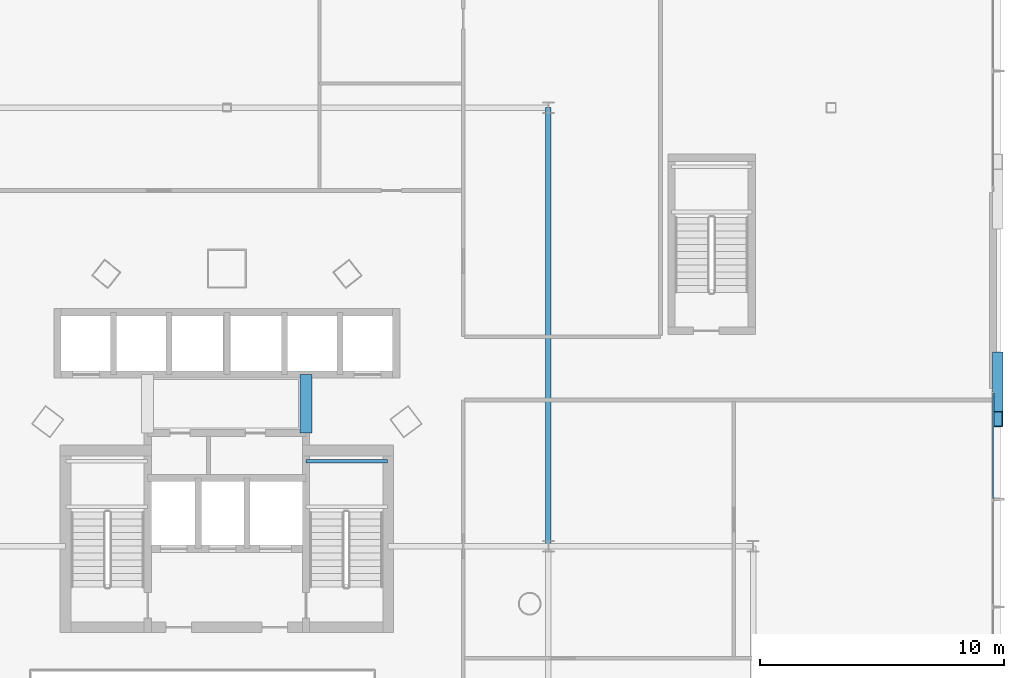
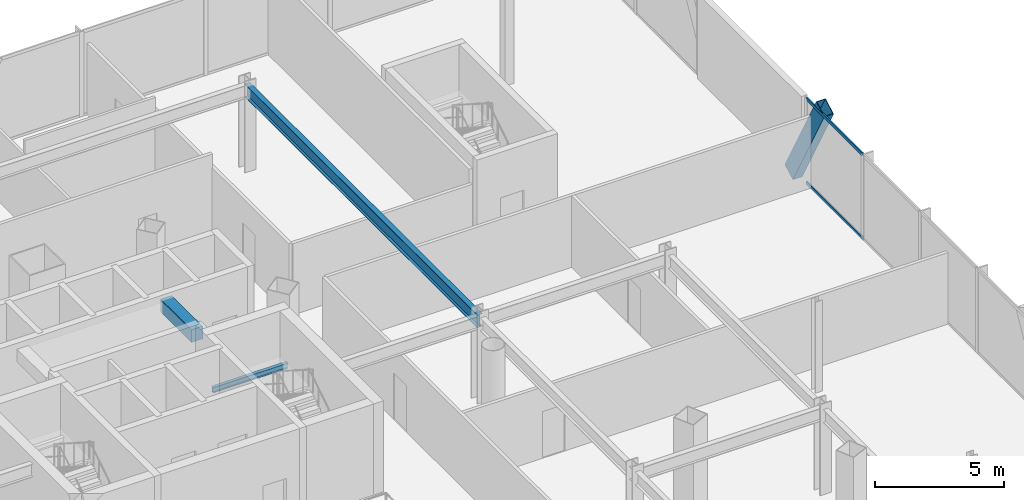
# One storey, part 27 of 42: 3 beams, 3 members, 1 element without a shape of its own.
"""IFC4 building model written with IfcOpenShell, lengths in metres."""

from ifc_helpers import new_model, si_unit, direction, frame, origin, origin_2d, place, context, subcontext, project, spatial, rectangle, hollow_rectangle, i_section, extrude, material, layer, layer_set, material_profile, profile_set, type_object, element, aggregate, save


model = new_model("IFC4")

# Units and contexts
model_context = context("Model", 3, precision=1e-05, world=origin(), true_north=direction((0.0, 1.0)))
body_context = subcontext(model_context, "Body", "Model", "MODEL_VIEW")
ifc_project = project(units=[si_unit("LENGTHUNIT", "METRE"), si_unit("AREAUNIT", "SQUARE_METRE"), si_unit("VOLUMEUNIT", "CUBIC_METRE"), si_unit("PLANEANGLEUNIT", "RADIAN"), si_unit("MASSUNIT", "GRAM", prefix="KILO")], contexts=[model_context])

# Site, building, storey
site_placement = place(None, origin())
site = spatial("IfcSite", under=ifc_project, at=site_placement, CompositionType="ELEMENT")
building_placement = place(site_placement, origin())
building = spatial("IfcBuilding", under=site, at=building_placement, Name="Orvanel Arch Residences", CompositionType="ELEMENT")
storey_placement = place(building_placement, frame((0.0, 0.0, 5.5)))
storey = spatial("IfcBuildingStorey", under=building, at=storey_placement, Name="L01", CompositionType="ELEMENT", Elevation=5.5)

# Beams
ifc_material_1 = material(Name="Structural steel AS/NZS 3679.1 Grade 300 (300 MPa)", Category="steel")
ifc_material_profile_1 = material_profile(ifc_material_1, i_section(OverallWidth=0.22900390625, OverallDepth=0.612060546875, WebThickness=0.011962890625, FlangeThickness=0.01953125, at=origin_2d()), Name="610UB125")
ifc_profile_set_1 = profile_set([ifc_material_profile_1], Name="Structural steel AS/NZS 3679.1 Grade 300 (300 MPa)")
beam_type_1 = type_object("IfcBeamType", Name="BG-610UB", PredefinedType="BEAM", material=ifc_profile_set_1)
beam_1_placement = place(storey_placement, frame((46.199951171875, 30.0, 3.714111328125), z_axis=(0.0, 1.0, 0.0), x_axis=(-1.0, 0.0, 0.0)))
element("IfcBeam", 1, at=beam_1_placement, inside=storey, type_object=beam_type_1, Name="L01 North-South Podium Girder XE46-N", PredefinedType="BEAM", context=body_context, shape_type="SweptSolid", body=[
    extrude(i_section(OverallWidth=0.22900390625, OverallDepth=0.612060546875, WebThickness=0.011962890625, FlangeThickness=0.01953125, at=origin_2d()), origin(), (0.0, 0.0, 1.0), 18.0),
])
ifc_material_profile_2 = material_profile(ifc_material_1, i_section(OverallWidth=0.14599609375, OverallDepth=0.251953125, WebThickness=0.006103515625, FlangeThickness=0.008544921875, at=origin_2d()), Name="250UB31.4")
ifc_profile_set_2 = profile_set([ifc_material_profile_2], Name="Structural steel AS/NZS 3679.1 Grade 300 (300 MPa)")
beam_type_2 = type_object("IfcBeamType", Name="BJ-250UB", PredefinedType="JOIST", material=ifc_profile_set_2)
beam_2_placement = place(storey_placement, frame((36.25, 33.47998046875, 1.823974609375), z_axis=(1.0, 0.0, 0.0), x_axis=(0.0, 1.0, 0.0)))
element("IfcBeam", 2, at=beam_2_placement, inside=storey, type_object=beam_type_2, Name="L01 ST-2 Half-Landing Support Beam 1.2", PredefinedType="JOIST", context=body_context, shape_type="SweptSolid", body=[
    extrude(i_section(OverallWidth=0.14599609375, OverallDepth=0.251953125, WebThickness=0.006103515625, FlangeThickness=0.008544921875, at=origin_2d()), origin(), (0.0, 0.0, 1.0), 3.35009765625),
])

# Member
ifc_material_2 = material(Name="Structural steel AS/NZS 3678 Grade 350", Category="steel")
ifc_material_profile_3 = material_profile(ifc_material_2, hollow_rectangle(XDim=0.419921875, YDim=0.719970703125, WallThickness=0.02490234375, at=origin_2d()), Name="RHS720x420x25")
ifc_profile_set_3 = profile_set([ifc_material_profile_3], Name="Structural steel AS/NZS 3678 Grade 350")
member_type_1 = type_object("IfcMemberType", Name="BR-720RHS-EXT", PredefinedType="BRACE", material=ifc_profile_set_3)
member_1_placement = place(storey_placement, frame((64.639892578125, 37.654052734375, -0.300048828125), z_axis=(0.0, -0.480038670678, 0.877247328097), x_axis=(1.0, 0.0, 0.0)))
element("IfcMember", 3, at=member_1_placement, inside=storey, type_object=member_type_1, Name="L01 Podium Multi-Storey V-Strut Pair E2 Leg 1", PredefinedType="BRACE", context=body_context, shape_type="SweptSolid", body=[
    extrude(hollow_rectangle(XDim=0.419921875, YDim=0.719970703125, WallThickness=0.02490234375, at=origin_2d()), origin(), (0.0, 0.0, 1.0), 5.072509765625),
])

# Beam
ifc_material_3 = material(Name="Concrete S65 (65 MPa)", Category="concrete")
ifc_material_profile_4 = material_profile(ifc_material_3, rectangle(XDim=0.5, YDim=0.60009765625, at=origin_2d()), Name="RC500x600")
ifc_profile_set_4 = profile_set([ifc_material_profile_4], Name="Concrete S65 (65 MPa)")
beam_type_3 = type_object("IfcBeamType", Name="CB-500x600", PredefinedType="LINTEL", material=ifc_profile_set_4)
beam_3_placement = place(storey_placement, frame((36.25, 34.64990234375, 3.719970703125), z_axis=(0.0, 1.0, 0.0), x_axis=(-1.0, 0.0, 0.0)))
element("IfcBeam", 4, at=beam_3_placement, inside=storey, type_object=beam_type_3, Name="L01 East Core Lobby Coupling Lintel Beam", PredefinedType="LINTEL", context=body_context, shape_type="SweptSolid", body=[
    extrude(rectangle(XDim=0.5, YDim=0.60009765625, at=origin_2d()), origin(), (0.0, 0.0, 1.0), 2.400146484375),
])

# Curtain wall, members
ifc_material_4 = material(Name="Bronze-anodised aluminium AA6063-T6", Category="aluminium")
ifc_layer = layer(ifc_material_4, 0.199951171875)
ifc_layer_set = layer_set([ifc_layer], Name="Bronze-anodised aluminium AA6063-T6")
curtain_wall_type = type_object("IfcCurtainWallType", Name="CW1-POD-SYS", PredefinedType="NOTDEFINED", material=ifc_layer_set)
curtain_wall_placement = place(storey_placement, origin())
curtain_wall = element("IfcCurtainWall", 5, at=curtain_wall_placement, inside=storey, type_object=curtain_wall_type, Name="L01 CW1-POD-SYS Unitised Curtain Wall", PredefinedType="NOTDEFINED")
ifc_material_profile_5 = material_profile(ifc_material_4, hollow_rectangle(XDim=0.06494140625, YDim=0.14990234375, WallThickness=0.00390625, at=origin_2d()), Name="ALU150x65x4")
ifc_profile_set_5 = profile_set([ifc_material_profile_5], Name="Bronze-anodised aluminium AA6063-T6")
member_type_2 = type_object("IfcMemberType", Name="TRN-150x65", PredefinedType="USERDEFINED", material=ifc_profile_set_5)
member_2_placement = place(storey_placement, frame((64.449951171875, 31.967529296875, 0.032470703125), z_axis=(0.0, 1.0, 0.0), x_axis=(-1.0, 0.0, 0.0)))
member_2 = element("IfcMember", 6, at=member_2_placement, type_object=member_type_2, Name="CW-S1 transom 4.1", ObjectType="TRANSOM", PredefinedType="USERDEFINED", context=body_context, shape_type="SweptSolid", body=[
    extrude(hollow_rectangle(XDim=0.06494140625, YDim=0.14990234375, WallThickness=0.00390625, at=origin_2d()), origin(), (0.0, 0.0, 1.0), 4.3173828125),
])
member_3_placement = place(storey_placement, frame((64.449951171875, 31.967529296875, 3.987548828125), z_axis=(0.0, 1.0, 0.0), x_axis=(-1.0, 0.0, 0.0)))
member_3 = element("IfcMember", 7, at=member_3_placement, type_object=member_type_2, Name="CW-S1 transom 4.2", ObjectType="TRANSOM", PredefinedType="USERDEFINED", context=body_context, shape_type="SweptSolid", body=[
    extrude(hollow_rectangle(XDim=0.06494140625, YDim=0.14990234375, WallThickness=0.00390625, at=origin_2d()), origin(), (0.0, 0.0, 1.0), 4.3173828125),
])
aggregate(curtain_wall, [member_2, member_3])

save(model, "model.ifc")
